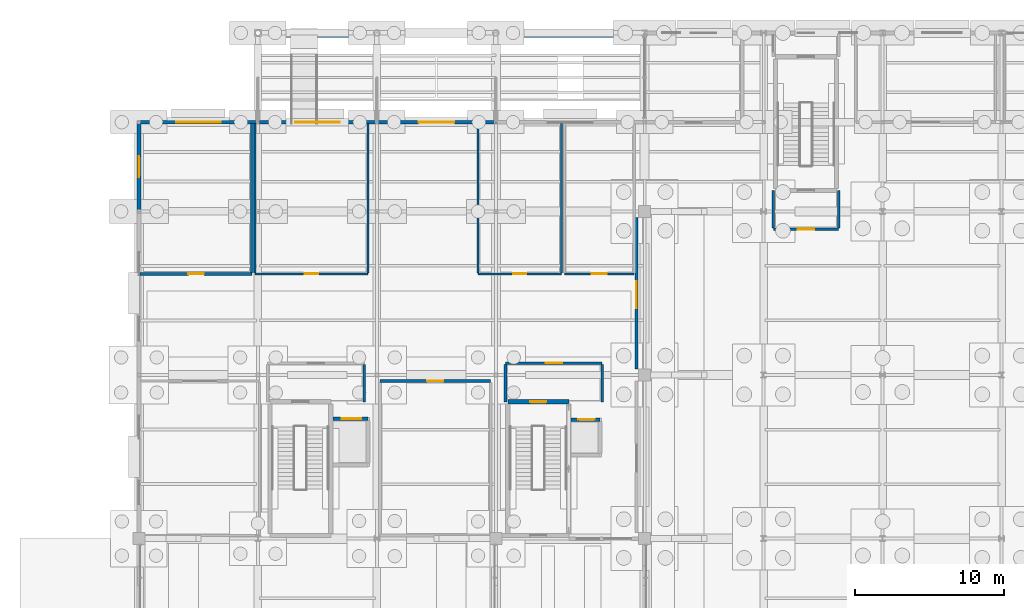
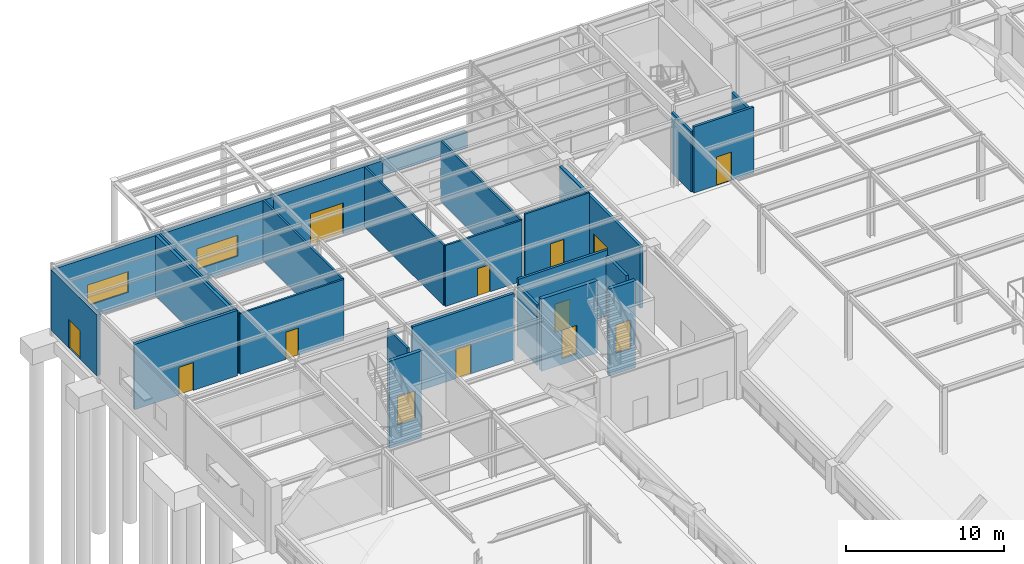
# One storey, part 103 of 129: 26 walls, 13 doors, 2 windows, 15 openings.
"""IFC4 building model written with IfcOpenShell, lengths in metres."""

from ifc_helpers import new_model, si_unit, direction, frame, frame_2d, origin, place, context, subcontext, project, spatial, rectangle, extrude, material, layer, layer_set, type_object, element, fill, save


model = new_model("IFC4")

# Units and contexts
model_context = context("Model", 3, precision=1e-05, world=origin(), true_north=direction((0.0, 1.0)))
body_context = subcontext(model_context, "Body", "Model", "MODEL_VIEW")
ifc_project = project(units=[si_unit("LENGTHUNIT", "METRE"), si_unit("AREAUNIT", "SQUARE_METRE"), si_unit("VOLUMEUNIT", "CUBIC_METRE"), si_unit("PLANEANGLEUNIT", "RADIAN"), si_unit("MASSUNIT", "GRAM", prefix="KILO")], contexts=[model_context])

# Site, building, storey
site_placement = place(None, origin())
site = spatial("IfcSite", under=ifc_project, at=site_placement, CompositionType="ELEMENT")
building_placement = place(site_placement, origin())
building = spatial("IfcBuilding", under=site, at=building_placement, Name="Sitalva Quay Ferry Terminal", CompositionType="ELEMENT")
storey_placement = place(building_placement, origin())
storey = spatial("IfcBuildingStorey", under=building, at=storey_placement, Name="L01", CompositionType="ELEMENT", Elevation=0.0)

# Wall, opening, door
ifc_material_1 = material(Name="Concrete Blockwork C30/37", Category="masonry")
ifc_layer_1 = layer(ifc_material_1, 0.2099609375)
ifc_layer_set_1 = layer_set([ifc_layer_1], Name="Concrete Blockwork C30/37")
wall_type_1 = type_object("IfcWallType", Name="Wall_Archive_210", PredefinedType="SOLIDWALL", material=ifc_layer_set_1)
wall_1_placement = place(storey_placement, frame((8.080078125, 95.800048828125, 0.0), z_axis=(0.0, 0.0, 1.0), x_axis=(1.0, 0.0, 0.0)))
wall_1 = element("IfcWall", 1, at=wall_1_placement, inside=storey, type_object=wall_type_1, Name="Left-Luggage & Parcel Vault S wall IW-L01-0153", PredefinedType="SOLIDWALL", context=body_context, shape_type="SweptSolid", body=[
    extrude(rectangle(XDim=7.52001953125, YDim=0.2099609375, at=frame_2d((3.760009765625, 0.0))), origin(), (0.0, 0.0, 1.0), 5.050048828125),
])
opening_1_placement = place(wall_1_placement, frame((3.235107421875, 0.0, 0.0)))
opening_1 = element("IfcOpeningElement", 2, at=opening_1_placement, cuts=wall_1, Name="Opening ID-L01-056", PredefinedType="OPENING", context=body_context, shape_type="SweptSolid", body=[
    extrude(rectangle(XDim=1.050048828125, YDim=2.14990234375, at=frame_2d((0.52490234375, 1.074951171875))), frame((0.0, 0.114990234375, 0.0), z_axis=(0.0, -1.0, 0.0), x_axis=(1.0, 0.0, 0.0)), (0.0, 0.0, 1.0), 0.22998046875),
])
ifc_material_2 = material(Name="Fire-Rated Steel Archive Door", Category="steel")
door_type_1 = type_object("IfcDoorType", Name="Door_Archive_1050x2150", OperationType="SINGLE_SWING_LEFT", PredefinedType="DOOR", material=ifc_material_2)
door_1_placement = place(opening_1_placement, origin())
door_1 = element("IfcDoor", 3, at=door_1_placement, inside=storey, type_object=door_type_1, Name="IDOOR-ID-L01-056 Left-Luggage & Parcel Vault entrance ID-L01-056", OperationType="SINGLE_SWING_RIGHT", OverallHeight=2.14990234375, OverallWidth=1.050048828125, PredefinedType="DOOR", context=body_context, shape_type="SweptSolid", body=[
    extrude(rectangle(XDim=1.050048828125, YDim=2.14990234375, at=frame_2d((0.52490234375, 1.074951171875))), frame((0.0, 0.02490234375, 0.0), z_axis=(0.0, -1.0, 0.0), x_axis=(1.0, 0.0, 0.0)), (0.0, 0.0, 1.0), 0.050048828125),
])
fill(opening_1, door_1)

# Wall
wall_2_placement = place(storey_placement, frame((15.60009765625, 95.905029296875, 0.0), z_axis=(0.0, 0.0, 1.0), x_axis=(0.0, 1.0, 0.0)))
element("IfcWall", 4, at=wall_2_placement, inside=storey, type_object=wall_type_1, Name="Left-Luggage & Parcel Vault E wall IW-L01-0154", PredefinedType="SOLIDWALL", context=body_context, shape_type="SweptSolid", body=[
    extrude(rectangle(XDim=10.014892578125, YDim=0.2099609375, at=frame_2d((5.00732421875, 0.0))), origin(), (0.0, 0.0, 1.0), 4.696044921875),
])

# Wall, opening, door
ifc_material_3 = material(Name="Concrete C40/50", Category="concrete")
ifc_layer_2 = layer(ifc_material_3, 0.280029296875)
ifc_layer_set_2 = layer_set([ifc_layer_2], Name="Concrete C40/50")
wall_type_2 = type_object("IfcWallType", Name="Wall_CoreShear_280", PredefinedType="SHEAR", material=ifc_layer_set_2)
wall_3_placement = place(storey_placement, frame((32.800048828125, 87.199951171875, -0.449951171875), z_axis=(0.0, 0.0, 1.0), x_axis=(1.0, 0.0, 0.0)))
wall_3 = element("IfcWall", 5, at=wall_3_placement, inside=storey, type_object=wall_type_2, Name="Core C5 L01 north shear wall", PredefinedType="SHEAR", context=body_context, shape_type="SweptSolid", body=[
    extrude(rectangle(XDim=4.099853515625, YDim=0.280029296875, at=frame_2d((2.0498046875, 0.0))), origin(), (0.0, 0.0, 1.0), 5.570068359375),
])
opening_2_placement = place(wall_3_placement, frame((1.5, 0.0, 0.449951171875)))
opening_2 = element("IfcOpeningElement", 6, at=opening_2_placement, cuts=wall_3, Name="Opening D-L01-018", PredefinedType="OPENING", context=body_context, shape_type="SweptSolid", body=[
    extrude(rectangle(XDim=1.10009765625, YDim=2.199951171875, at=frame_2d((0.550048828125, 1.10009765625))), frame((0.0, 0.14990234375, 0.0), z_axis=(0.0, -1.0, 0.0), x_axis=(1.0, 0.0, 0.0)), (0.0, 0.0, 1.0), 0.300048828125),
])
ifc_material_4 = material(Name="Galvanised Steel Fire Door", Category="steel")
door_type_2 = type_object("IfcDoorType", Name="Door_CoreExit_1100x2200", OperationType="SINGLE_SWING_LEFT", PredefinedType="DOOR", material=ifc_material_4)
door_2_placement = place(opening_2_placement, origin())
door_2 = element("IfcDoor", 7, at=door_2_placement, inside=storey, type_object=door_type_2, Name="DOOR-D-L01-018 Protected stair ST-05 door D-L01-018", OperationType="SINGLE_SWING_RIGHT", OverallHeight=2.199951171875, OverallWidth=1.10009765625, PredefinedType="DOOR", context=body_context, shape_type="SweptSolid", body=[
    extrude(rectangle(XDim=1.10009765625, YDim=2.199951171875, at=frame_2d((0.550048828125, 1.10009765625))), frame((0.0, 0.02490234375, 0.0), z_axis=(0.0, -1.0, 0.0), x_axis=(1.0, 0.0, 0.0)), (0.0, 0.0, 1.0), 0.050048828125),
])
fill(opening_2, door_2)

ifc_material_5 = material(Name="Insulated Precast Concrete C40/50", Category="concrete")
ifc_layer_3 = layer(ifc_material_5, 0.239990234375)
ifc_layer_set_3 = layer_set([ifc_layer_3], Name="Insulated Precast Concrete C40/50")
wall_type_3 = type_object("IfcWallType", Name="Wall_ExtClad_240", PredefinedType="ELEMENTEDWALL", material=ifc_layer_set_3)
wall_4_placement = place(storey_placement, frame((8.0, 100.110107421875, 0.0), z_axis=(0.0, 0.0, 1.0), x_axis=(0.0, 1.0, 0.0)))
wall_4 = element("IfcWall", 8, at=wall_4_placement, inside=storey, type_object=wall_type_3, Name="L01 west service wing wall EW-L01-140", PredefinedType="ELEMENTEDWALL", context=body_context, shape_type="SweptSolid", body=[
    extrude(rectangle(XDim=5.804931640625, YDim=0.239990234375, at=frame_2d((2.90234375, 0.0))), origin(), (0.0, 0.0, 1.0), 4.694091796875),
])
opening_3_placement = place(wall_4_placement, frame((2.18994140625, 0.0, 0.0)))
opening_3 = element("IfcOpeningElement", 9, at=opening_3_placement, cuts=wall_4, Name="Opening ED-L01-025", PredefinedType="OPENING", context=body_context, shape_type="SweptSolid", body=[
    extrude(rectangle(XDim=1.39990234375, YDim=2.199951171875, at=frame_2d((0.699951171875, 1.10009765625))), frame((0.0, 0.1298828125, 0.0), z_axis=(0.0, -1.0, 0.0), x_axis=(1.0, 0.0, 0.0)), (0.0, 0.0, 1.0), 0.260009765625),
])
ifc_material_6 = material(Name="Galvanised Louvred Steel", Category="steel")
door_type_3 = type_object("IfcDoorType", Name="Door_PlantExt_1400x2200", OperationType="DOUBLE_DOOR_SINGLE_SWING", PredefinedType="DOOR", material=ifc_material_6)
door_3_placement = place(opening_3_placement, origin())
door_3 = element("IfcDoor", 10, at=door_3_placement, inside=storey, type_object=door_type_3, Name="EDOOR-ED-L01-025 West plant service exit ED-L01-025", OperationType="DOUBLE_DOOR_SINGLE_SWING", OverallHeight=2.199951171875, OverallWidth=1.39990234375, PredefinedType="DOOR", context=body_context, shape_type="SweptSolid", body=[
    extrude(rectangle(XDim=1.39990234375, YDim=2.199951171875, at=frame_2d((0.699951171875, 1.10009765625))), frame((0.0, 0.02490234375, 0.0), z_axis=(0.0, -1.0, 0.0), x_axis=(1.0, 0.0, 0.0)), (0.0, 0.0, 1.0), 0.050048828125),
])
fill(opening_3, door_3)

# Wall, opening, window
wall_5_placement = place(storey_placement, frame((8.0849609375, 106.0, 0.0), z_axis=(0.0, 0.0, 1.0), x_axis=(1.0, 0.0, 0.0)))
wall_5 = element("IfcWall", 11, at=wall_5_placement, inside=storey, type_object=wall_type_3, Name="L01 north-west landside facade EW-L01-142", PredefinedType="ELEMENTEDWALL", context=body_context, shape_type="SweptSolid", body=[
    extrude(rectangle(XDim=8.011962890625, YDim=0.239990234375, at=frame_2d((4.005859375, 0.0))), origin(), (0.0, 0.0, 1.0), 4.694091796875),
])
opening_4_placement = place(wall_5_placement, frame((2.4150390625, 0.0, 1.0)))
opening_4 = element("IfcOpeningElement", 12, at=opening_4_placement, cuts=wall_5, Name="Opening WN-L01-016", PredefinedType="OPENING", context=body_context, shape_type="SweptSolid", body=[
    extrude(rectangle(XDim=3.0, YDim=1.60009765625, at=frame_2d((1.5, 0.800048828125))), frame((0.0, 0.1298828125, 0.0), z_axis=(0.0, -1.0, 0.0), x_axis=(1.0, 0.0, 0.0)), (0.0, 0.0, 1.0), 0.260009765625),
])
ifc_material_7 = material(Name="Anodised Aluminium & Low-E Glass", Category="aluminium")
window_type = type_object("IfcWindowType", Name="Win_Ribbon_3000x1600", PartitioningType="SINGLE_PANEL", PredefinedType="WINDOW", material=ifc_material_7)
window_1_placement = place(opening_4_placement, origin())
window_1 = element("IfcWindow", 13, at=window_1_placement, inside=storey, type_object=window_type, Name="Landside north ribbon window WN-L01-016", OverallHeight=1.60009765625, OverallWidth=3.0, PartitioningType="SINGLE_PANEL", PredefinedType="WINDOW", context=body_context, shape_type="SweptSolid", body=[
    extrude(rectangle(XDim=3.0, YDim=1.60009765625, at=frame_2d((1.5, 0.800048828125))), frame((0.0, 0.030029296875, 0.0), z_axis=(0.0, -1.0, 0.0), x_axis=(1.0, 0.0, 0.0)), (0.0, 0.0, 1.0), 0.06005859375),
])
fill(opening_4, window_1)

wall_6_placement = place(storey_placement, frame((16.0849609375, 106.0, 0.0), z_axis=(0.0, 0.0, 1.0), x_axis=(1.0, 0.0, 0.0)))
wall_6 = element("IfcWall", 14, at=wall_6_placement, inside=storey, type_object=wall_type_3, Name="L01 north-west landside facade EW-L01-143", PredefinedType="ELEMENTEDWALL", context=body_context, shape_type="SweptSolid", body=[
    extrude(rectangle(XDim=8.011962890625, YDim=0.239990234375, at=frame_2d((4.005859375, 0.0))), origin(), (0.0, 0.0, 1.0), 4.657958984375),
])
opening_5_placement = place(wall_6_placement, frame((2.4150390625, 0.0, 1.0)))
opening_5 = element("IfcOpeningElement", 15, at=opening_5_placement, cuts=wall_6, Name="Opening WN-L01-017", PredefinedType="OPENING", context=body_context, shape_type="SweptSolid", body=[
    extrude(rectangle(XDim=3.0, YDim=1.60009765625, at=frame_2d((1.5, 0.800048828125))), frame((0.0, 0.1298828125, 0.0), z_axis=(0.0, -1.0, 0.0), x_axis=(1.0, 0.0, 0.0)), (0.0, 0.0, 1.0), 0.260009765625),
])
window_2_placement = place(opening_5_placement, origin())
window_2 = element("IfcWindow", 16, at=window_2_placement, inside=storey, type_object=window_type, Name="Landside north ribbon window WN-L01-017", OverallHeight=1.60009765625, OverallWidth=3.0, PartitioningType="SINGLE_PANEL", PredefinedType="WINDOW", context=body_context, shape_type="SweptSolid", body=[
    extrude(rectangle(XDim=3.0, YDim=1.60009765625, at=frame_2d((1.5, 0.800048828125))), frame((0.0, 0.030029296875, 0.0), z_axis=(0.0, -1.0, 0.0), x_axis=(1.0, 0.0, 0.0)), (0.0, 0.0, 1.0), 0.06005859375),
])
fill(opening_5, window_2)

# Wall, opening, door
wall_7_placement = place(storey_placement, frame((24.0849609375, 106.0, 0.0), z_axis=(0.0, 0.0, 1.0), x_axis=(1.0, 0.0, 0.0)))
wall_7 = element("IfcWall", 17, at=wall_7_placement, inside=storey, type_object=wall_type_3, Name="L01 north-west landside facade EW-L01-144", PredefinedType="ELEMENTEDWALL", context=body_context, shape_type="SweptSolid", body=[
    extrude(rectangle(XDim=8.011962890625, YDim=0.239990234375, at=frame_2d((4.005859375, 0.0))), origin(), (0.0, 0.0, 1.0), 4.657958984375),
])
opening_6_placement = place(wall_7_placement, frame((2.715087890625, 0.0, 0.0)))
opening_6 = element("IfcOpeningElement", 18, at=opening_6_placement, cuts=wall_7, Name="Opening ED-L01-027", PredefinedType="OPENING", context=body_context, shape_type="SweptSolid", body=[
    extrude(rectangle(XDim=2.39990234375, YDim=2.39990234375, at=frame_2d((1.199951171875, 1.199951171875))), frame((0.0, 0.1298828125, 0.0), z_axis=(0.0, -1.0, 0.0), x_axis=(1.0, 0.0, 0.0)), (0.0, 0.0, 1.0), 0.260009765625),
])
ifc_material_8 = material(Name="Anodised Aluminium & Toughened Glass", Category="aluminium")
door_type_4 = type_object("IfcDoorType", Name="Door_Entrance_2400x2400", OperationType="DOUBLE_DOOR_SINGLE_SWING", PredefinedType="DOOR", material=ifc_material_8)
door_4_placement = place(opening_6_placement, origin())
door_4 = element("IfcDoor", 19, at=door_4_placement, inside=storey, type_object=door_type_4, Name="EDOOR-ED-L01-027 West landside canopy arrival entrance ED-L01-027", OperationType="DOUBLE_DOOR_SINGLE_SWING", OverallHeight=2.39990234375, OverallWidth=2.39990234375, PredefinedType="DOOR", context=body_context, shape_type="SweptSolid", body=[
    extrude(rectangle(XDim=2.39990234375, YDim=2.39990234375, at=frame_2d((1.199951171875, 1.199951171875))), frame((0.0, 0.02490234375, 0.0), z_axis=(0.0, -1.0, 0.0), x_axis=(1.0, 0.0, 0.0)), (0.0, 0.0, 1.0), 0.050048828125),
])
fill(opening_6, door_4)

ifc_material_9 = material(Name="Concrete Blockwork C25/30", Category="masonry")
ifc_layer_4 = layer(ifc_material_9, 0.199951171875)
ifc_layer_set_4 = layer_set([ifc_layer_4], Name="Concrete Blockwork C25/30")
wall_type_4 = type_object("IfcWallType", Name="Wall_FireComp_200", PredefinedType="SOLIDWALL", material=ifc_layer_set_4)
wall_8_placement = place(storey_placement, frame((41.449951171875, 89.39990234375, 0.0), z_axis=(0.0, 0.0, 1.0), x_axis=(0.0, 1.0, 0.0)))
wall_8 = element("IfcWall", 20, at=wall_8_placement, inside=storey, type_object=wall_type_4, Name="V1 west hall-to-wing wall IW-L01-0115", PredefinedType="SOLIDWALL", context=body_context, shape_type="SweptSolid", body=[
    extrude(rectangle(XDim=10.2001953125, YDim=0.199951171875, at=frame_2d((5.10009765625, 0.0))), origin(), (0.0, 0.0, 1.0), 4.806884765625),
])
opening_7_placement = place(wall_8_placement, frame((4.10009765625, 0.0, 0.0)))
opening_7 = element("IfcOpeningElement", 21, at=opening_7_placement, cuts=wall_8, Name="Opening ID-L01-040", PredefinedType="OPENING", context=body_context, shape_type="SweptSolid", body=[
    extrude(rectangle(XDim=1.800048828125, YDim=2.199951171875, at=frame_2d((0.89990234375, 1.10009765625))), frame((0.0, 0.10986328125, 0.0), z_axis=(0.0, -1.0, 0.0), x_axis=(1.0, 0.0, 0.0)), (0.0, 0.0, 1.0), 0.219970703125),
])
ifc_material_10 = material(Name="Glazed Steel Fire Door", Category="steel")
door_type_5 = type_object("IfcDoorType", Name="Door_FireCorridor_1800x2200", OperationType="DOUBLE_DOOR_SINGLE_SWING", PredefinedType="DOOR", material=ifc_material_10)
door_5_placement = place(opening_7_placement, origin())
door_5 = element("IfcDoor", 22, at=door_5_placement, inside=storey, type_object=door_type_5, Name="IDOOR-ID-L01-040 V1 west concourse portal ID-L01-040", OperationType="DOUBLE_DOOR_SINGLE_SWING", OverallHeight=2.199951171875, OverallWidth=1.800048828125, PredefinedType="DOOR", context=body_context, shape_type="SweptSolid", body=[
    extrude(rectangle(XDim=1.800048828125, YDim=2.199951171875, at=frame_2d((0.89990234375, 1.10009765625))), frame((0.0, 0.02490234375, 0.0), z_axis=(0.0, -1.0, 0.0), x_axis=(1.0, 0.0, 0.0)), (0.0, 0.0, 1.0), 0.050048828125),
])
fill(opening_7, door_5)

# Wall
ifc_material_11 = material(Name="Fire-Rated Blockwork C25/30", Category="masonry")
ifc_layer_5 = layer(ifc_material_11, 0.179931640625)
ifc_layer_set_5 = layer_set([ifc_layer_5], Name="Fire-Rated Blockwork C25/30")
wall_type_5 = type_object("IfcWallType", Name="Wall_FireLobby_180", PredefinedType="SOLIDWALL", material=ifc_layer_set_5)
wall_9_placement = place(storey_placement, frame((23.14990234375, 87.199951171875, 0.0), z_axis=(0.0, 0.0, 1.0), x_axis=(0.0, 1.0, 0.0)))
element("IfcWall", 23, at=wall_9_placement, inside=storey, type_object=wall_type_5, Name="Firefighting & Lift Lobby C3 E wall IW-L01-0048", PredefinedType="SOLIDWALL", context=body_context, shape_type="SweptSolid", body=[
    extrude(rectangle(XDim=2.510009765625, YDim=0.179931640625, at=frame_2d((1.2548828125, 0.0))), origin(), (0.0, 0.0, 1.0), 4.659912109375),
])

# Wall, opening, door
wall_10_placement = place(storey_placement, frame((32.64990234375, 89.800048828125, 0.0), z_axis=(0.0, 0.0, 1.0), x_axis=(1.0, 0.0, 0.0)))
wall_10 = element("IfcWall", 24, at=wall_10_placement, inside=storey, type_object=wall_type_5, Name="Firefighting & Lift Lobby C5 N wall IW-L01-0052", PredefinedType="SOLIDWALL", context=body_context, shape_type="SweptSolid", body=[
    extrude(rectangle(XDim=6.5, YDim=0.179931640625, at=frame_2d((3.25, 0.0))), origin(), (0.0, 0.0, 1.0), 5.10009765625),
])
opening_8_placement = place(wall_10_placement, frame((2.699951171875, 0.0, 0.0)))
opening_8 = element("IfcOpeningElement", 25, at=opening_8_placement, cuts=wall_10, Name="Opening ID-L01-018", PredefinedType="OPENING", context=body_context, shape_type="SweptSolid", body=[
    extrude(rectangle(XDim=1.10009765625, YDim=2.199951171875, at=frame_2d((0.550048828125, 1.10009765625))), frame((0.0, 0.099853515625, 0.0), z_axis=(0.0, -1.0, 0.0), x_axis=(1.0, 0.0, 0.0)), (0.0, 0.0, 1.0), 0.199951171875),
])
ifc_material_12 = material(Name="Steel Fire Door", Category="steel")
door_type_6 = type_object("IfcDoorType", Name="Door_FireLobby_1100x2200", OperationType="SINGLE_SWING_LEFT", PredefinedType="DOOR", material=ifc_material_12)
door_6_placement = place(opening_8_placement, origin())
door_6 = element("IfcDoor", 26, at=door_6_placement, inside=storey, type_object=door_type_6, Name="IDOOR-ID-L01-018 Firefighting & Lift Lobby C5 entrance ID-L01-018", OperationType="SINGLE_SWING_RIGHT", OverallHeight=2.199951171875, OverallWidth=1.10009765625, PredefinedType="DOOR", context=body_context, shape_type="SweptSolid", body=[
    extrude(rectangle(XDim=1.10009765625, YDim=2.199951171875, at=frame_2d((0.550048828125, 1.10009765625))), frame((0.0, 0.02490234375, 0.0), z_axis=(0.0, -1.0, 0.0), x_axis=(1.0, 0.0, 0.0)), (0.0, 0.0, 1.0), 0.050048828125),
])
fill(opening_8, door_6)

# Walls
for number, where, z_axis, x_axis, name in (
    (27, (32.64990234375, 87.199951171875, 0.0), (0.0, 0.0, 1.0), (0.0, 1.0, 0.0), "Firefighting & Lift Lobby C5 W wall IW-L01-0053"),
    (28, (39.14990234375, 87.199951171875, 0.0), (0.0, 0.0, 1.0), (0.0, 1.0, 0.0), "Firefighting & Lift Lobby C5 E wall IW-L01-0054"),
):
    element("IfcWall", number, at=place(storey_placement, frame(where, z_axis=z_axis, x_axis=x_axis)), inside=storey, type_object=wall_type_5, Name=name, PredefinedType="SOLIDWALL", context=body_context, shape_type="SweptSolid", body=[
        extrude(rectangle(XDim=2.510009765625, YDim=0.179931640625, at=frame_2d((1.2548828125, 0.0))), origin(), (0.0, 0.0, 1.0), 4.659912109375),
    ])

# Wall, opening, door
wall_11_placement = place(storey_placement, frame((50.64990234375, 98.800048828125, 0.0), z_axis=(0.0, 0.0, 1.0), x_axis=(1.0, 0.0, 0.0)))
wall_11 = element("IfcWall", 29, at=wall_11_placement, inside=storey, type_object=wall_type_5, Name="Firefighting & Lift Lobby C7 S wall IW-L01-0067", PredefinedType="SOLIDWALL", context=body_context, shape_type="SweptSolid", body=[
    extrude(rectangle(XDim=4.400146484375, YDim=0.179931640625, at=frame_2d((2.2001953125, 0.0))), origin(), (0.0, 0.0, 1.0), 5.10009765625),
])
opening_9_placement = place(wall_11_placement, frame((1.64990234375, 0.0, 0.0)))
opening_9 = element("IfcOpeningElement", 30, at=opening_9_placement, cuts=wall_11, Name="Opening ID-L01-023", PredefinedType="OPENING", context=body_context, shape_type="SweptSolid", body=[
    extrude(rectangle(XDim=1.10009765625, YDim=2.199951171875, at=frame_2d((0.550048828125, 1.10009765625))), frame((0.0, 0.099853515625, 0.0), z_axis=(0.0, -1.0, 0.0), x_axis=(1.0, 0.0, 0.0)), (0.0, 0.0, 1.0), 0.199951171875),
])
door_7_placement = place(opening_9_placement, origin())
door_7 = element("IfcDoor", 31, at=door_7_placement, inside=storey, type_object=door_type_6, Name="IDOOR-ID-L01-023 Firefighting & Lift Lobby C7 entrance ID-L01-023", OperationType="SINGLE_SWING_LEFT", OverallHeight=2.199951171875, OverallWidth=1.10009765625, PredefinedType="DOOR", context=body_context, shape_type="SweptSolid", body=[
    extrude(rectangle(XDim=1.10009765625, YDim=2.199951171875, at=frame_2d((0.550048828125, 1.10009765625))), frame((0.0, 0.02490234375, 0.0), z_axis=(0.0, -1.0, 0.0), x_axis=(1.0, 0.0, 0.0)), (0.0, 0.0, 1.0), 0.050048828125),
])
fill(opening_9, door_7)

# Walls
for number, where, z_axis, x_axis, name in (
    (32, (50.64990234375, 98.889892578125, 0.0), (0.0, 0.0, 1.0), (0.0, 1.0, 0.0), "Firefighting & Lift Lobby C7 W wall IW-L01-0068"),
    (33, (55.050048828125, 98.889892578125, 0.0), (0.0, 0.0, 1.0), (0.0, 1.0, 0.0), "Firefighting & Lift Lobby C7 E wall IW-L01-0069"),
):
    element("IfcWall", number, at=place(storey_placement, frame(where, z_axis=z_axis, x_axis=x_axis)), inside=storey, type_object=wall_type_5, Name=name, PredefinedType="SOLIDWALL", context=body_context, shape_type="SweptSolid", body=[
        extrude(rectangle(XDim=2.510009765625, YDim=0.179931640625, at=frame_2d((1.2548828125, 0.0))), origin(), (0.0, 0.0, 1.0), 4.65087890625),
    ])

# Wall, opening, door
ifc_material_13 = material(Name="Concrete C35/45", Category="concrete")
ifc_layer_6 = layer(ifc_material_13, 0.25)
ifc_layer_set_6 = layer_set([ifc_layer_6], Name="Concrete C35/45")
wall_type_6 = type_object("IfcWallType", Name="Wall_LiftShaft_250", PredefinedType="SOLIDWALL", material=ifc_layer_set_6)
wall_12_placement = place(storey_placement, frame((21.044921875, 86.050048828125, -1.60009765625), z_axis=(0.0, 0.0, 1.0), x_axis=(1.0, 0.0, 0.0)))
wall_12 = element("IfcWall", 34, at=wall_12_placement, inside=storey, type_object=wall_type_6, Name="Lift LF-08 L01 north shaft wall", PredefinedType="SOLIDWALL", context=body_context, shape_type="SweptSolid", body=[
    extrude(rectangle(XDim=2.35498046875, YDim=0.25, at=frame_2d((1.177490234375, 0.0))), origin(), (0.0, 0.0, 1.0), 6.72021484375),
])
opening_10_placement = place(wall_12_placement, frame((0.60009765625, 0.0, 1.60009765625)))
opening_10 = element("IfcOpeningElement", 35, at=opening_10_placement, cuts=wall_12, Name="Opening LD-LF-08-L01", PredefinedType="OPENING", context=body_context, shape_type="SweptSolid", body=[
    extrude(rectangle(XDim=1.300048828125, YDim=2.199951171875, at=frame_2d((0.64990234375, 1.10009765625))), frame((0.0, 0.135009765625, 0.0), z_axis=(0.0, -1.0, 0.0), x_axis=(1.0, 0.0, 0.0)), (0.0, 0.0, 1.0), 0.27001953125),
])
ifc_material_14 = material(Name="Stainless Steel 316L Goods/Stretcher Door", Category="steel")
door_type_7 = type_object("IfcDoorType", Name="Door_LiftStretcher_1300x2200", OperationType="SLIDING_TO_RIGHT", PredefinedType="DOOR", material=ifc_material_14)
door_8_placement = place(opening_10_placement, origin())
door_8 = element("IfcDoor", 36, at=door_8_placement, inside=storey, type_object=door_type_7, Name="DOOR-LD-LF-08-L01 Lift LF-08 sliding landing door LD-LF-08-L01", OperationType="SLIDING_TO_RIGHT", OverallHeight=2.199951171875, OverallWidth=1.300048828125, PredefinedType="DOOR", context=body_context, shape_type="SweptSolid", body=[
    extrude(rectangle(XDim=1.300048828125, YDim=2.199951171875, at=frame_2d((0.64990234375, 1.10009765625))), frame((0.0, 0.02490234375, 0.0), z_axis=(0.0, -1.0, 0.0), x_axis=(1.0, 0.0, 0.0)), (0.0, 0.0, 1.0), 0.050048828125),
])
fill(opening_10, door_8)

wall_13_placement = place(storey_placement, frame((37.044921875, 86.0, -1.60009765625), z_axis=(0.0, 0.0, 1.0), x_axis=(1.0, 0.0, 0.0)))
wall_13 = element("IfcWall", 37, at=wall_13_placement, inside=storey, type_object=wall_type_6, Name="Lift LF-05 L01 north shaft wall", PredefinedType="SOLIDWALL", context=body_context, shape_type="SweptSolid", body=[
    extrude(rectangle(XDim=1.955078125, YDim=0.25, at=frame_2d((0.9775390625, 0.0))), origin(), (0.0, 0.0, 1.0), 6.72021484375),
])
opening_11_placement = place(wall_13_placement, frame((0.5, 0.0, 1.60009765625)))
opening_11 = element("IfcOpeningElement", 38, at=opening_11_placement, cuts=wall_13, Name="Opening LD-LF-05-L01", PredefinedType="OPENING", context=body_context, shape_type="SweptSolid", body=[
    extrude(rectangle(XDim=1.10009765625, YDim=2.199951171875, at=frame_2d((0.550048828125, 1.10009765625))), frame((0.0, 0.135009765625, 0.0), z_axis=(0.0, -1.0, 0.0), x_axis=(1.0, 0.0, 0.0)), (0.0, 0.0, 1.0), 0.27001953125),
])
ifc_material_15 = material(Name="Stainless Steel 316L Fire Landing Door", Category="steel")
door_type_8 = type_object("IfcDoorType", Name="Door_LiftLanding_1100x2200", OperationType="SLIDING_TO_LEFT", PredefinedType="DOOR", material=ifc_material_15)
door_9_placement = place(opening_11_placement, origin())
door_9 = element("IfcDoor", 39, at=door_9_placement, inside=storey, type_object=door_type_8, Name="DOOR-LD-LF-05-L01 Lift LF-05 sliding landing door LD-LF-05-L01", OperationType="SLIDING_TO_LEFT", OverallHeight=2.199951171875, OverallWidth=1.10009765625, PredefinedType="DOOR", context=body_context, shape_type="SweptSolid", body=[
    extrude(rectangle(XDim=1.10009765625, YDim=2.199951171875, at=frame_2d((0.550048828125, 1.10009765625))), frame((0.0, 0.02490234375, 0.0), z_axis=(0.0, -1.0, 0.0), x_axis=(1.0, 0.0, 0.0)), (0.0, 0.0, 1.0), 0.050048828125),
])
fill(opening_11, door_9)

# Wall
ifc_material_16 = material(Name="Concrete C40/50", Category="concrete")
ifc_layer_7 = layer(ifc_material_16, 0.320068359375)
ifc_layer_set_7 = layer_set([ifc_layer_7], Name="Concrete C40/50")
wall_type_7 = type_object("IfcWallType", Name="Wall_Retaining_320", PredefinedType="POLYGONAL", material=ifc_layer_set_7)
wall_14_placement = place(storey_placement, frame((16.0, 111.840087890625, -1.199951171875), z_axis=(0.0, 0.0, 1.0), x_axis=(1.0, 0.0, 0.0)))
element("IfcWall", 40, at=wall_14_placement, inside=storey, type_object=wall_type_7, Name="West forecourt flood retaining wall EW-L01-136", PredefinedType="POLYGONAL", context=body_context, shape_type="SweptSolid", body=[
    extrude(rectangle(XDim=25.60009765625, YDim=0.320068359375, at=frame_2d((12.800048828125, 0.0))), origin(), (0.0, 0.0, 1.0), 1.199951171875),
])

# Wall, opening, door
ifc_material_17 = material(Name="Concrete Blockwork C30/37", Category="masonry")
ifc_layer_8 = layer(ifc_material_17, 0.195068359375)
ifc_layer_set_8 = layer_set([ifc_layer_8], Name="Concrete Blockwork C30/37")
wall_type_8 = type_object("IfcWallType", Name="Wall_Security_195", PredefinedType="SOLIDWALL", material=ifc_layer_set_8)
wall_15_placement = place(storey_placement, frame((24.199951171875, 88.60009765625, 0.0), z_axis=(0.0, 0.0, 1.0), x_axis=(1.0, 0.0, 0.0)))
wall_15 = element("IfcWall", 41, at=wall_15_placement, inside=storey, type_object=wall_type_8, Name="Customs & River Border Inspection N wall IW-L01-0150", PredefinedType="SOLIDWALL", context=body_context, shape_type="SweptSolid", body=[
    extrude(rectangle(XDim=7.449951171875, YDim=0.195068359375, at=frame_2d((3.72509765625, 0.0))), origin(), (0.0, 0.0, 1.0), 5.10009765625),
])
opening_12_placement = place(wall_15_placement, frame((3.175048828125, 0.0, 0.0)))
opening_12 = element("IfcOpeningElement", 42, at=opening_12_placement, cuts=wall_15, Name="Opening ID-L01-055", PredefinedType="OPENING", context=body_context, shape_type="SweptSolid", body=[
    extrude(rectangle(XDim=1.10009765625, YDim=2.300048828125, at=frame_2d((0.550048828125, 1.14990234375))), frame((0.0, 0.107421875, 0.0), z_axis=(0.0, -1.0, 0.0), x_axis=(1.0, 0.0, 0.0)), (0.0, 0.0, 1.0), 0.215087890625),
])
ifc_material_18 = material(Name="Security Steel & Vision Panel Door", Category="steel")
door_type_9 = type_object("IfcDoorType", Name="Door_Customs_1100x2300", OperationType="SINGLE_SWING_LEFT", PredefinedType="DOOR", material=ifc_material_18)
door_10_placement = place(opening_12_placement, origin())
door_10 = element("IfcDoor", 43, at=door_10_placement, inside=storey, type_object=door_type_9, Name="IDOOR-ID-L01-055 Customs & River Border Inspection entrance ID-L01-055", OperationType="SINGLE_SWING_LEFT", OverallHeight=2.300048828125, OverallWidth=1.10009765625, PredefinedType="DOOR", context=body_context, shape_type="SweptSolid", body=[
    extrude(rectangle(XDim=1.10009765625, YDim=2.300048828125, at=frame_2d((0.550048828125, 1.14990234375))), frame((0.0, 0.02490234375, 0.0), z_axis=(0.0, -1.0, 0.0), x_axis=(1.0, 0.0, 0.0)), (0.0, 0.0, 1.0), 0.050048828125),
])
fill(opening_12, door_10)

ifc_material_19 = material(Name="Moisture-Resistant Cement Board Partition", Category="gypsum")
ifc_layer_9 = layer(ifc_material_19, 0.139892578125)
ifc_layer_set_9 = layer_set([ifc_layer_9], Name="Moisture-Resistant Cement Board Partition")
wall_type_9 = type_object("IfcWallType", Name="Wall_WetRoom_140", PredefinedType="PARTITIONING", material=ifc_layer_set_9)
wall_16_placement = place(storey_placement, frame((15.800048828125, 95.800048828125, 0.0), z_axis=(0.0, 0.0, 1.0), x_axis=(1.0, 0.0, 0.0)))
wall_16 = element("IfcWall", 44, at=wall_16_placement, inside=storey, type_object=wall_type_9, Name="West Concourse Male Public Toilets S wall IW-L01-0155", PredefinedType="PARTITIONING", context=body_context, shape_type="SweptSolid", body=[
    extrude(rectangle(XDim=7.599853515625, YDim=0.139892578125, at=frame_2d((3.7998046875, 0.0))), origin(), (0.0, 0.0, 1.0), 4.696044921875),
])
opening_13_placement = place(wall_16_placement, frame((3.35009765625, 0.0, 0.0)))
opening_13 = element("IfcOpeningElement", 45, at=opening_13_placement, cuts=wall_16, Name="Opening ID-L01-057", PredefinedType="OPENING", context=body_context, shape_type="SweptSolid", body=[
    extrude(rectangle(XDim=0.89990234375, YDim=2.10009765625, at=frame_2d((0.449951171875, 1.050048828125))), frame((0.0, 0.079833984375, 0.0), z_axis=(0.0, -1.0, 0.0), x_axis=(1.0, 0.0, 0.0)), (0.0, 0.0, 1.0), 0.159912109375),
])
ifc_material_20 = material(Name="High-Pressure Laminate Door", Category="wood")
door_type_10 = type_object("IfcDoorType", Name="Door_WC_900x2100", OperationType="SINGLE_SWING_LEFT", PredefinedType="DOOR", material=ifc_material_20)
door_11_placement = place(opening_13_placement, origin())
door_11 = element("IfcDoor", 46, at=door_11_placement, inside=storey, type_object=door_type_10, Name="IDOOR-ID-L01-057 West Concourse Male Public Toilets entrance ID-L01-057", OperationType="SINGLE_SWING_LEFT", OverallHeight=2.10009765625, OverallWidth=0.89990234375, PredefinedType="DOOR", context=body_context, shape_type="SweptSolid", body=[
    extrude(rectangle(XDim=0.89990234375, YDim=2.10009765625, at=frame_2d((0.449951171875, 1.050048828125))), frame((0.0, 0.02490234375, 0.0), z_axis=(0.0, -1.0, 0.0), x_axis=(1.0, 0.0, 0.0)), (0.0, 0.0, 1.0), 0.050048828125),
])
fill(opening_13, door_11)

# Walls
wall_17_placement = place(storey_placement, frame((15.800048828125, 95.8701171875, 0.0), z_axis=(0.0, 0.0, 1.0), x_axis=(0.0, 1.0, 0.0)))
element("IfcWall", 47, at=wall_17_placement, inside=storey, type_object=wall_type_9, Name="West Concourse Male Public Toilets W wall IW-L01-0156", PredefinedType="PARTITIONING", context=body_context, shape_type="SweptSolid", body=[
    extrude(rectangle(XDim=10.0498046875, YDim=0.139892578125, at=frame_2d((5.02490234375, 0.0))), origin(), (0.0, 0.0, 1.0), 4.696044921875),
])
wall_18_placement = place(storey_placement, frame((23.39990234375, 95.8701171875, 0.0), z_axis=(0.0, 0.0, 1.0), x_axis=(0.0, 1.0, 0.0)))
element("IfcWall", 48, at=wall_18_placement, inside=storey, type_object=wall_type_9, Name="West Concourse Male Public Toilets E wall IW-L01-0157", PredefinedType="PARTITIONING", context=body_context, shape_type="SweptSolid", body=[
    extrude(rectangle(XDim=10.0498046875, YDim=0.139892578125, at=frame_2d((5.02490234375, 0.0))), origin(), (0.0, 0.0, 1.0), 4.659912109375),
])

# Wall, opening, door
wall_19_placement = place(storey_placement, frame((30.800048828125, 95.800048828125, 0.0), z_axis=(0.0, 0.0, 1.0), x_axis=(1.0, 0.0, 0.0)))
wall_19 = element("IfcWall", 49, at=wall_19_placement, inside=storey, type_object=wall_type_9, Name="West Concourse Female Public Toilets S wall IW-L01-0158", PredefinedType="PARTITIONING", context=body_context, shape_type="SweptSolid", body=[
    extrude(rectangle(XDim=5.599853515625, YDim=0.139892578125, at=frame_2d((2.7998046875, 0.0))), origin(), (0.0, 0.0, 1.0), 4.702880859375),
])
opening_14_placement = place(wall_19_placement, frame((2.35009765625, 0.0, 0.0)))
opening_14 = element("IfcOpeningElement", 50, at=opening_14_placement, cuts=wall_19, Name="Opening ID-L01-058", PredefinedType="OPENING", context=body_context, shape_type="SweptSolid", body=[
    extrude(rectangle(XDim=0.89990234375, YDim=2.10009765625, at=frame_2d((0.449951171875, 1.050048828125))), frame((0.0, 0.079833984375, 0.0), z_axis=(0.0, -1.0, 0.0), x_axis=(1.0, 0.0, 0.0)), (0.0, 0.0, 1.0), 0.159912109375),
])
door_12_placement = place(opening_14_placement, origin())
door_12 = element("IfcDoor", 51, at=door_12_placement, inside=storey, type_object=door_type_10, Name="IDOOR-ID-L01-058 West Concourse Female Public Toilets entrance ID-L01-058", OperationType="SINGLE_SWING_RIGHT", OverallHeight=2.10009765625, OverallWidth=0.89990234375, PredefinedType="DOOR", context=body_context, shape_type="SweptSolid", body=[
    extrude(rectangle(XDim=0.89990234375, YDim=2.10009765625, at=frame_2d((0.449951171875, 1.050048828125))), frame((0.0, 0.02490234375, 0.0), z_axis=(0.0, -1.0, 0.0), x_axis=(1.0, 0.0, 0.0)), (0.0, 0.0, 1.0), 0.050048828125),
])
fill(opening_14, door_12)

# Walls
for number, where, z_axis, x_axis, name in (
    (52, (30.800048828125, 95.8701171875, 0.0), (0.0, 0.0, 1.0), (0.0, 1.0, 0.0), "West Concourse Female Public Toilets W wall IW-L01-0159"),
    (53, (36.39990234375, 95.8701171875, 0.0), (0.0, 0.0, 1.0), (0.0, 1.0, 0.0), "West Concourse Female Public Toilets E wall IW-L01-0160"),
):
    element("IfcWall", number, at=place(storey_placement, frame(where, z_axis=z_axis, x_axis=x_axis)), inside=storey, type_object=wall_type_9, Name=name, PredefinedType="PARTITIONING", context=body_context, shape_type="SweptSolid", body=[
        extrude(rectangle(XDim=10.0498046875, YDim=0.139892578125, at=frame_2d((5.02490234375, 0.0))), origin(), (0.0, 0.0, 1.0), 4.659912109375),
    ])

# Wall, opening, door
wall_20_placement = place(storey_placement, frame((36.60009765625, 95.800048828125, 0.0), z_axis=(0.0, 0.0, 1.0), x_axis=(1.0, 0.0, 0.0)))
wall_20 = element("IfcWall", 54, at=wall_20_placement, inside=storey, type_object=wall_type_9, Name="West Concourse Accessible Toilet & Baby Care S wall IW-L01-0161", PredefinedType="PARTITIONING", context=body_context, shape_type="SweptSolid", body=[
    extrude(rectangle(XDim=4.699951171875, YDim=0.139892578125, at=frame_2d((2.35009765625, 0.0))), origin(), (0.0, 0.0, 1.0), 5.10009765625),
])
opening_15_placement = place(wall_20_placement, frame((1.85009765625, 0.0, 0.0)))
opening_15 = element("IfcOpeningElement", 55, at=opening_15_placement, cuts=wall_20, Name="Opening ID-L01-059", PredefinedType="OPENING", context=body_context, shape_type="SweptSolid", body=[
    extrude(rectangle(XDim=1.0, YDim=2.14990234375, at=frame_2d((0.5, 1.074951171875))), frame((0.0, 0.079833984375, 0.0), z_axis=(0.0, -1.0, 0.0), x_axis=(1.0, 0.0, 0.0)), (0.0, 0.0, 1.0), 0.159912109375),
])
ifc_material_21 = material(Name="High-Pressure Laminate Accessible Door", Category="wood")
door_type_11 = type_object("IfcDoorType", Name="Door_AccWC_1000x2150", OperationType="SINGLE_SWING_RIGHT", PredefinedType="DOOR", material=ifc_material_21)
door_13_placement = place(opening_15_placement, origin())
door_13 = element("IfcDoor", 56, at=door_13_placement, inside=storey, type_object=door_type_11, Name="IDOOR-ID-L01-059 West Concourse Accessible Toilet & Baby Care entrance ID-L01-059", OperationType="SINGLE_SWING_LEFT", OverallHeight=2.14990234375, OverallWidth=1.0, PredefinedType="DOOR", context=body_context, shape_type="SweptSolid", body=[
    extrude(rectangle(XDim=1.0, YDim=2.14990234375, at=frame_2d((0.5, 1.074951171875))), frame((0.0, 0.02490234375, 0.0), z_axis=(0.0, -1.0, 0.0), x_axis=(1.0, 0.0, 0.0)), (0.0, 0.0, 1.0), 0.050048828125),
])
fill(opening_15, door_13)

save(model, "model.ifc")
